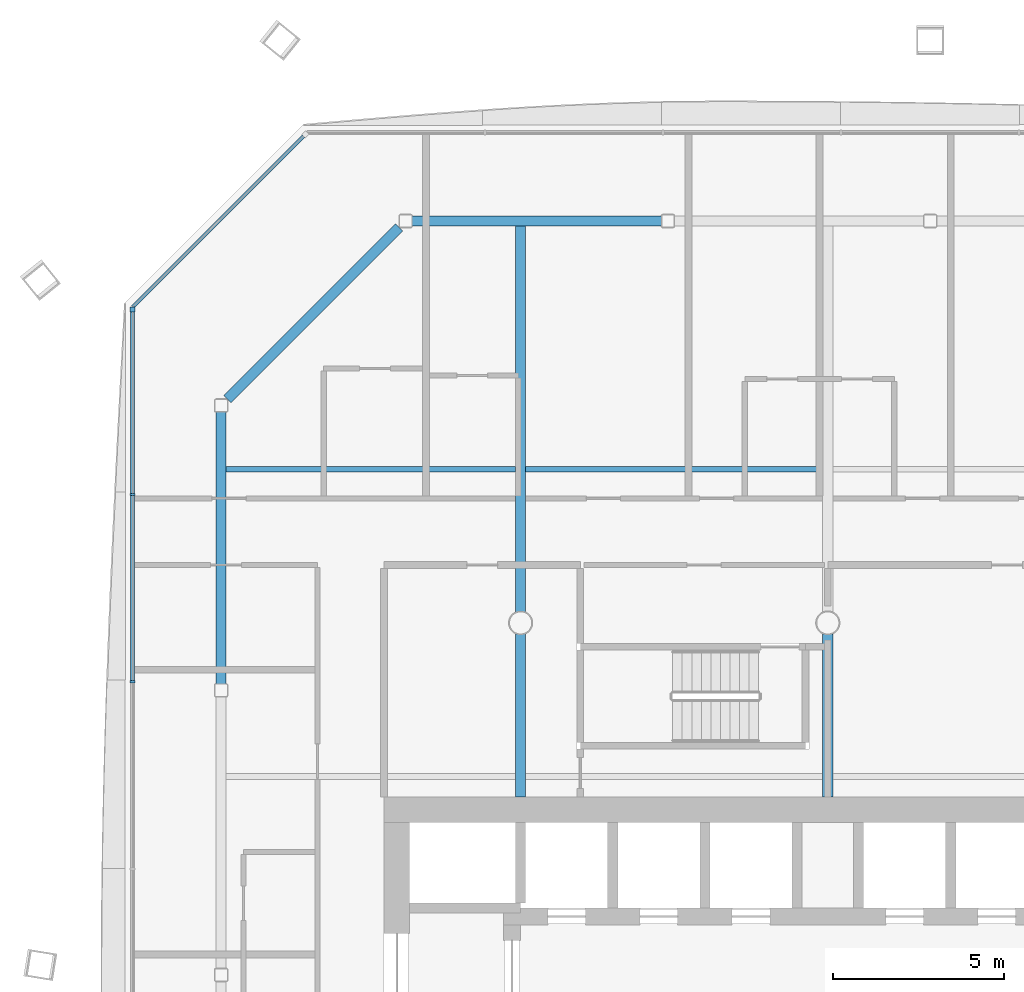
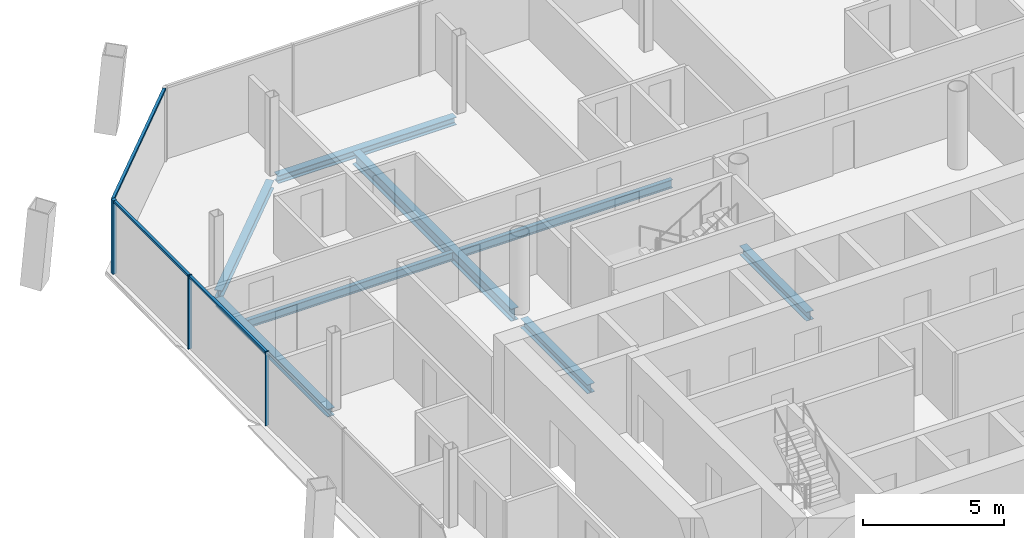
# One storey, part 8 of 21: 8 beams, 6 members, 2 elements without a shape of their own.
"""IFC4 building model written with IfcOpenShell, lengths in metres."""

from ifc_helpers import new_model, si_unit, direction, frame, origin, origin_2d, place, context, subcontext, project, spatial, rectangle, i_section, extrude, material, material_profile, profile_set, type_object, element, aggregate, save


model = new_model("IFC4")

# Units and contexts
model_context = context("Model", 3, precision=1e-05, world=origin(), true_north=direction((0.0, 1.0)))
body_context = subcontext(model_context, "Body", "Model", "MODEL_VIEW")
ifc_project = project(units=[si_unit("LENGTHUNIT", "METRE"), si_unit("AREAUNIT", "SQUARE_METRE"), si_unit("VOLUMEUNIT", "CUBIC_METRE"), si_unit("PLANEANGLEUNIT", "RADIAN"), si_unit("MASSUNIT", "GRAM", prefix="KILO")], contexts=[model_context])

# Site, building, storey
site_placement = place(None, origin())
site = spatial("IfcSite", under=ifc_project, at=site_placement, CompositionType="ELEMENT")
building_placement = place(site_placement, origin())
building = spatial("IfcBuilding", under=site, at=building_placement, Name="Tskaro Facet Tower", CompositionType="ELEMENT")
storey_placement = place(building_placement, frame((0.0, 0.0, 128.300048828125)))
storey = spatial("IfcBuildingStorey", under=building, at=storey_placement, Name="L30", CompositionType="ELEMENT", Elevation=128.300048828125)

# Curtain wall, members
ifc_material_1 = material(Name="Bronze anodised aluminium 6063-T6", Category="aluminium")
curtain_wall_type = type_object("IfcCurtainWallType", Name="Bronze hotel curtain wall (FW2)", PredefinedType="NOTDEFINED", material=ifc_material_1)
curtain_wall_1_placement = place(storey_placement, origin())
curtain_wall_1 = element("IfcCurtainWall", 1, at=curtain_wall_1_placement, inside=storey, type_object=curtain_wall_type, Name="FW2 west facet L30", PredefinedType="NOTDEFINED")
ifc_material_profile_1 = material_profile(ifc_material_1, rectangle(XDim=0.14990234375, YDim=0.14990234375, at=origin_2d()), Name="Corner post 150x150")
ifc_profile_set_1 = profile_set([ifc_material_profile_1], Name="Bronze anodised aluminium 6063-T6")
member_type_1 = type_object("IfcMemberType", Name="FW2 bronze corner post 150x150", PredefinedType="MULLION", material=ifc_profile_set_1)
member_1_placement = place(storey_placement, frame((-20.366943359375, 18.177978515625, 0.0), z_axis=(0.0, 0.0, 1.0), x_axis=(0.0, -1.0, 0.0)))
member_1 = element("IfcMember", 2, at=member_1_placement, type_object=member_type_1, Name="FW2 west corner post", PredefinedType="MULLION", context=body_context, shape_type="SweptSolid", body=[
    extrude(rectangle(XDim=0.14990234375, YDim=0.14990234375, at=origin_2d()), origin(), (0.0, 0.0, 1.0), 3.199951171875),
])
ifc_material_profile_2 = material_profile(ifc_material_1, rectangle(XDim=0.06005859375, YDim=0.14990234375, at=origin_2d()), Name="Mullion 60x150")
ifc_profile_set_2 = profile_set([ifc_material_profile_2], Name="Bronze anodised aluminium 6063-T6")
member_type_2 = type_object("IfcMemberType", Name="FW2 bronze mullion 60x150", PredefinedType="MULLION", material=ifc_profile_set_2)
member_2_placement = place(storey_placement, frame((-20.366943359375, 12.7646484375, 0.0), z_axis=(0.0, 0.0, 1.0), x_axis=(0.0, -1.0, 0.0)))
member_2 = element("IfcMember", 3, at=member_2_placement, type_object=member_type_2, Name="FW2 west mullion 1", PredefinedType="MULLION", context=body_context, shape_type="SweptSolid", body=[
    extrude(rectangle(XDim=0.06005859375, YDim=0.14990234375, at=origin_2d()), origin(), (0.0, 0.0, 1.0), 3.199951171875),
])
member_3_placement = place(storey_placement, frame((-20.366943359375, 7.276123046875, 0.0), z_axis=(0.0, 0.0, 1.0), x_axis=(0.0, -1.0, 0.0)))
member_3 = element("IfcMember", 4, at=member_3_placement, type_object=member_type_2, Name="FW2 west mullion 2", PredefinedType="MULLION", context=body_context, shape_type="SweptSolid", body=[
    extrude(rectangle(XDim=0.06005859375, YDim=0.14990234375, at=origin_2d()), origin(), (0.0, 0.0, 1.0), 3.199951171875),
])

# Curtain wall, member
curtain_wall_2_placement = place(storey_placement, origin())
curtain_wall_2 = element("IfcCurtainWall", 5, at=curtain_wall_2_placement, inside=storey, type_object=curtain_wall_type, Name="FW2 north-west facet L30", PredefinedType="NOTDEFINED")
ifc_material_profile_3 = material_profile(ifc_material_1, rectangle(XDim=0.110107421875, YDim=0.10009765625, at=origin_2d()), Name="Transom 110x100")
ifc_profile_set_3 = profile_set([ifc_material_profile_3], Name="Bronze anodised aluminium 6063-T6")
member_type_3 = type_object("IfcMemberType", Name="FW2 bronze transom 110x100", PredefinedType="USERDEFINED", material=ifc_profile_set_3)
member_4_placement = place(storey_placement, frame((-15.359130859375, 23.260986328125, 3.14990234375), z_axis=(-0.707089544979, -0.707124016974, 0.0), x_axis=(0.707124016974, -0.707089544979, 0.0)))
member_4 = element("IfcMember", 6, at=member_4_placement, type_object=member_type_3, Name="FW2 north-west transom 1.1", ObjectType="TRANSOM", PredefinedType="USERDEFINED", context=body_context, shape_type="SweptSolid", body=[
    extrude(rectangle(XDim=0.110107421875, YDim=0.10009765625, at=origin_2d()), origin(), (0.0, 0.0, 1.0), 7.082275390625),
])
aggregate(curtain_wall_2, [member_4])

# Member
member_5_placement = place(storey_placement, frame((-20.366943359375, 18.10302734375, 3.14990234375), z_axis=(0.0, -1.0, 0.0), x_axis=(1.0, 0.0, 0.0)))
member_5 = element("IfcMember", 7, at=member_5_placement, type_object=member_type_3, Name="FW2 west transom 1.1", ObjectType="TRANSOM", PredefinedType="USERDEFINED", context=body_context, shape_type="SweptSolid", body=[
    extrude(rectangle(XDim=0.110107421875, YDim=0.10009765625, at=origin_2d()), origin(), (0.0, 0.0, 1.0), 5.308349609375),
])

member_6_placement = place(storey_placement, frame((-20.366943359375, 12.734619140625, 3.14990234375), z_axis=(0.0, -1.0, 0.0), x_axis=(1.0, 0.0, 0.0)))
member_6 = element("IfcMember", 8, at=member_6_placement, type_object=member_type_3, Name="FW2 west transom 2.1", ObjectType="TRANSOM", PredefinedType="USERDEFINED", context=body_context, shape_type="SweptSolid", body=[
    extrude(rectangle(XDim=0.110107421875, YDim=0.10009765625, at=origin_2d()), origin(), (0.0, 0.0, 1.0), 5.428466796875),
])

aggregate(curtain_wall_1, [member_1, member_2, member_3, member_5, member_6])

# Beams
ifc_material_2 = material(Name="Steel S355J2", Category="steel")
ifc_material_profile_4 = material_profile(ifc_material_2, i_section(OverallWidth=0.300048828125, OverallDepth=0.340087890625, WebThickness=0.011962890625, FlangeThickness=0.021484375, FilletRadius=0.027099609375, at=origin_2d()), Name="HE 340 B")
ifc_profile_set_4 = profile_set([ifc_material_profile_4], Name="Steel S355J2")
beam_type_1 = type_object("IfcBeamType", Name="HE 340 B ring beam", PredefinedType="BEAM", material=ifc_profile_set_4)
beam_1_placement = place(storey_placement, frame((-4.864013671875, 20.77392578125, -0.31005859375), z_axis=(-1.0, 0.0, 0.0), x_axis=(0.0, -1.0, 0.0)))
element("IfcBeam", 9, at=beam_1_placement, inside=storey, type_object=beam_type_1, Name="HE 340 B EB14-3", PredefinedType="BEAM", context=body_context, shape_type="SweptSolid", body=[
    extrude(i_section(OverallWidth=0.300048828125, OverallDepth=0.340087890625, WebThickness=0.011962890625, FlangeThickness=0.021484375, FilletRadius=0.027099609375, at=origin_2d()), origin(), (0.0, 0.0, 1.0), 7.323974609375),
])
beam_2_placement = place(storey_placement, frame((-12.553955078125, 20.588134765625, -0.31005859375), z_axis=(-0.707106781187, -0.707106781187, 0.0), x_axis=(0.707106781187, -0.707106781187, 0.0)))
element("IfcBeam", 10, at=beam_2_placement, inside=storey, type_object=beam_type_1, Name="HE 340 B EB15-3", PredefinedType="BEAM", context=body_context, shape_type="SweptSolid", body=[
    extrude(i_section(OverallWidth=0.300048828125, OverallDepth=0.340087890625, WebThickness=0.011962890625, FlangeThickness=0.021484375, FilletRadius=0.027099609375, at=origin_2d()), origin(), (0.0, 0.0, 1.0), 7.119384765625),
])
beam_3_placement = place(storey_placement, frame((-17.77392578125, 15.18798828125, -0.31005859375), z_axis=(0.0, -1.0, 0.0), x_axis=(1.0, 0.0, 0.0)))
element("IfcBeam", 11, at=beam_3_placement, inside=storey, type_object=beam_type_1, Name="HE 340 B EB16-3", PredefinedType="BEAM", context=body_context, shape_type="SweptSolid", body=[
    extrude(i_section(OverallWidth=0.300048828125, OverallDepth=0.340087890625, WebThickness=0.011962890625, FlangeThickness=0.021484375, FilletRadius=0.027099609375, at=origin_2d()), origin(), (0.0, 0.0, 1.0), 7.98193359375),
])
ifc_material_profile_5 = material_profile(ifc_material_2, i_section(OverallWidth=0.300048828125, OverallDepth=0.389892578125, WebThickness=0.010986328125, FlangeThickness=0.01904296875, FilletRadius=0.027099609375, at=origin_2d()), Name="HE 400 A")
ifc_profile_set_5 = profile_set([ifc_material_profile_5], Name="Steel S355J2")
beam_type_2 = type_object("IfcBeamType", Name="HE 400 A girder", PredefinedType="BEAM", material=ifc_profile_set_5)
for number, where, z_axis, x_axis, name in (
    (12, (-9.0, 3.89990234375, -0.3349609375), (0.0, 1.0, 0.0), (-1.0, 0.0, 0.0), "HE 400 A GB3-2-3"),
    (13, (0.0, 3.89990234375, -0.3349609375), (0.0, 1.0, 0.0), (-1.0, 0.0, 0.0), "HE 400 A GB4-2-3"),
):
    element("IfcBeam", number, at=place(storey_placement, frame(where, z_axis=z_axis, x_axis=x_axis)), inside=storey, type_object=beam_type_2, Name=name, PredefinedType="BEAM", context=body_context, shape_type="SweptSolid", body=[
        extrude(i_section(OverallWidth=0.300048828125, OverallDepth=0.389892578125, WebThickness=0.010986328125, FlangeThickness=0.01904296875, FilletRadius=0.027099609375, at=origin_2d()), origin(), (0.0, 0.0, 1.0), 4.774658203125),
    ])
ifc_material_profile_6 = material_profile(ifc_material_2, i_section(OverallWidth=0.300048828125, OverallDepth=0.5400390625, WebThickness=0.012451171875, FlangeThickness=0.02392578125, FilletRadius=0.027099609375, at=origin_2d()), Name="HE 550 A")
ifc_profile_set_6 = profile_set([ifc_material_profile_6], Name="Steel S355J2")
beam_type_3 = type_object("IfcBeamType", Name="HE 550 A long girder", PredefinedType="BEAM", material=ifc_profile_set_6)
beam_4_placement = place(storey_placement, frame((-9.0, 9.325439453125, -0.41015625), z_axis=(0.0, 1.0, 0.0), x_axis=(-1.0, 0.0, 0.0)))
element("IfcBeam", 14, at=beam_4_placement, inside=storey, type_object=beam_type_3, Name="HE 550 A LGB3-3-3", PredefinedType="BEAM", context=body_context, shape_type="SweptSolid", body=[
    extrude(i_section(OverallWidth=0.300048828125, OverallDepth=0.5400390625, WebThickness=0.012451171875, FlangeThickness=0.02392578125, FilletRadius=0.027099609375, at=origin_2d()), origin(), (0.0, 0.0, 1.0), 11.298583984375),
])
ifc_material_profile_7 = material_profile(ifc_material_2, i_section(OverallWidth=0.169921875, OverallDepth=0.360107421875, WebThickness=0.008056640625, FlangeThickness=0.0126953125, FilletRadius=0.01806640625, at=origin_2d()), Name="IPE 360")
ifc_profile_set_7 = profile_set([ifc_material_profile_7], Name="Steel S355J2")
beam_type_4 = type_object("IfcBeamType", Name="IPE 360 secondary beam", PredefinedType="BEAM", material=ifc_profile_set_7)
beam_5_placement = place(storey_placement, frame((-17.6240234375, 13.5, -0.320068359375), z_axis=(1.0, 0.0, 0.0), x_axis=(0.0, 1.0, 0.0)))
element("IfcBeam", 15, at=beam_5_placement, inside=storey, type_object=beam_type_4, Name="IPE 360 SB5a-1-3", PredefinedType="BEAM", context=body_context, shape_type="SweptSolid", body=[
    extrude(i_section(OverallWidth=0.169921875, OverallDepth=0.360107421875, WebThickness=0.008056640625, FlangeThickness=0.0126953125, FilletRadius=0.01806640625, at=origin_2d()), origin(), (0.0, 0.0, 1.0), 8.47412109375),
])
beam_6_placement = place(storey_placement, frame((-8.85009765625, 13.5, -0.320068359375), z_axis=(1.0, 0.0, 0.0), x_axis=(0.0, 1.0, 0.0)))
element("IfcBeam", 16, at=beam_6_placement, inside=storey, type_object=beam_type_4, Name="IPE 360 SB5a-2-3", PredefinedType="BEAM", context=body_context, shape_type="SweptSolid", body=[
    extrude(i_section(OverallWidth=0.169921875, OverallDepth=0.360107421875, WebThickness=0.008056640625, FlangeThickness=0.0126953125, FilletRadius=0.01806640625, at=origin_2d()), origin(), (0.0, 0.0, 1.0), 8.7001953125),
])

save(model, "model.ifc")
